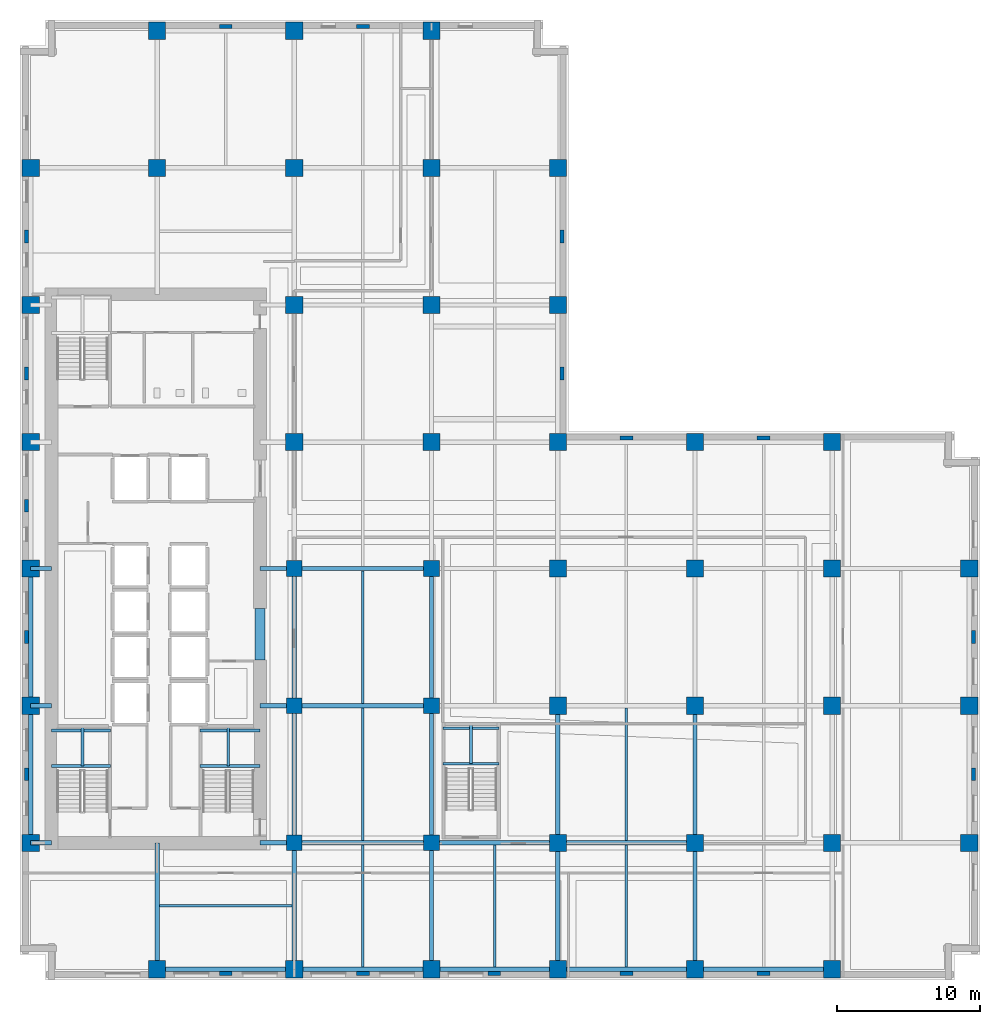
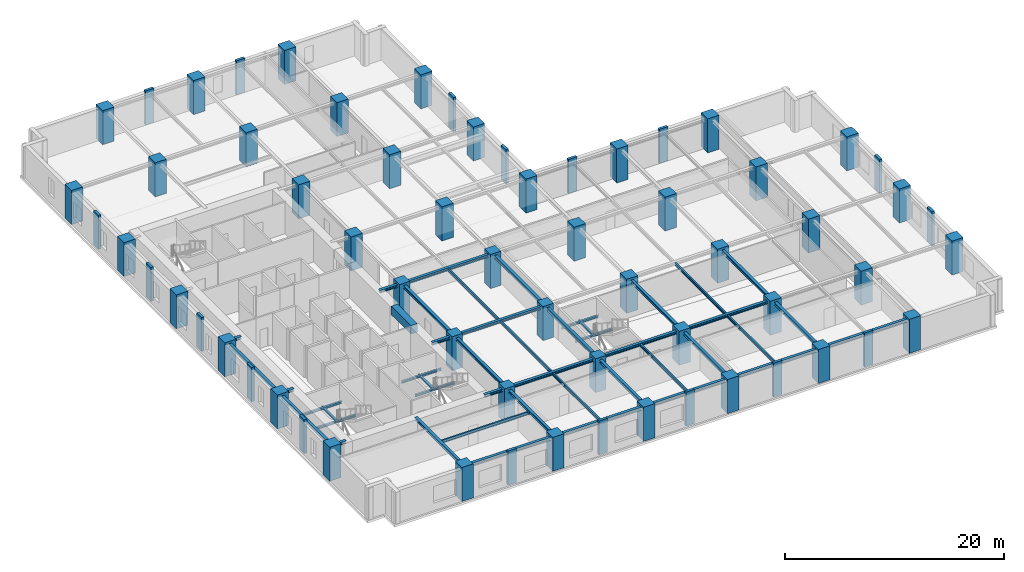
# One storey, part 1 of 13: 63 columns, 46 beams.
"""IFC4 building model written with IfcOpenShell, lengths in metres."""

from ifc_helpers import new_model, si_unit, direction, frame, origin, origin_2d, place, context, subcontext, project, spatial, rectangle, i_section, extrude, material, material_profile, profile_set, type_object, element, save


model = new_model("IFC4")

# Units and contexts
model_context = context("Model", 3, precision=1e-05, world=origin(), true_north=direction((0.0, 1.0)))
body_context = subcontext(model_context, "Body", "Model", "MODEL_VIEW")
ifc_project = project(units=[si_unit("LENGTHUNIT", "METRE"), si_unit("AREAUNIT", "SQUARE_METRE"), si_unit("VOLUMEUNIT", "CUBIC_METRE"), si_unit("PLANEANGLEUNIT", "RADIAN"), si_unit("MASSUNIT", "GRAM", prefix="KILO")], contexts=[model_context])

# Site, building, storey
site_placement = place(None, origin())
site = spatial("IfcSite", under=ifc_project, at=site_placement, CompositionType="ELEMENT")
building_placement = place(site_placement, origin())
building = spatial("IfcBuilding", under=site, at=building_placement, Name="Norrvale University Quadrangle", CompositionType="ELEMENT")
storey_placement = place(building_placement, frame((0.0, 0.0, 54.60009765625)))
storey = spatial("IfcBuildingStorey", under=building, at=storey_placement, Name="L13", CompositionType="ELEMENT", Elevation=54.60009765625)

# Columns
ifc_material_1 = material(Name="Buff Brick Concrete C60/75", Category="concrete")
ifc_material_profile_1 = material_profile(ifc_material_1, rectangle(XDim=0.89990234375, YDim=0.280029296875, at=origin_2d()), Name="Buff Brick Concrete C60/75")
ifc_profile_set_1 = profile_set([ifc_material_profile_1], Name="Buff Brick Concrete C60/75")
column_type_1 = type_object("IfcColumnType", Name="Column Buff Pier 900x280", PredefinedType="PILASTER", material=ifc_profile_set_1)
for number, where, z_axis, x_axis, name in (
    (1, (0.449951171875, 14.39990234375, 0.0), (0.0, 0.0, 1.0), (0.0, 1.0, 0.0), "Exterior Brick Facade Pilaster L13-01"),
    (2, (0.449951171875, 24.0, 0.0), (0.0, 0.0, 1.0), (0.0, 1.0, 0.0), "Exterior Brick Facade Pilaster L13-02"),
    (3, (0.449951171875, 33.199951171875, 0.0), (0.0, 0.0, 1.0), (0.0, 1.0, 0.0), "Exterior Brick Facade Pilaster L13-03"),
    (4, (0.449951171875, 42.449951171875, 0.0), (0.0, 0.0, 1.0), (0.0, 1.0, 0.0), "Exterior Brick Facade Pilaster L13-04"),
    (5, (0.449951171875, 52.050048828125, 0.0), (0.0, 0.0, 1.0), (0.0, 1.0, 0.0), "Exterior Brick Facade Pilaster L13-05"),
    (6, (14.39990234375, 0.449951171875, 0.0), (0.0, 0.0, 1.0), (1.0, 0.0, 0.0), "Exterior Brick Facade Pilaster L13-06"),
    (7, (24.0, 0.449951171875, 0.0), (0.0, 0.0, 1.0), (1.0, 0.0, 0.0), "Exterior Brick Facade Pilaster L13-07"),
    (8, (33.199951171875, 0.449951171875, 0.0), (0.0, 0.0, 1.0), (1.0, 0.0, 0.0), "Exterior Brick Facade Pilaster L13-08"),
    (9, (42.449951171875, 0.449951171875, 0.0), (0.0, 0.0, 1.0), (1.0, 0.0, 0.0), "Exterior Brick Facade Pilaster L13-09"),
    (10, (52.050048828125, 0.449951171875, 0.0), (0.0, 0.0, 1.0), (1.0, 0.0, 0.0), "Exterior Brick Facade Pilaster L13-10"),
    (11, (66.75, 14.39990234375, 0.0), (0.0, 0.0, 1.0), (0.0, 1.0, 0.0), "Exterior Brick Facade Pilaster L13-11"),
    (12, (66.75, 24.0, 0.0), (0.0, 0.0, 1.0), (0.0, 1.0, 0.0), "Exterior Brick Facade Pilaster L13-12"),
    (13, (14.39990234375, 66.75, 0.0), (0.0, 0.0, 1.0), (1.0, 0.0, 0.0), "Exterior Brick Facade Pilaster L13-13"),
    (14, (24.0, 66.75, 0.0), (0.0, 0.0, 1.0), (1.0, 0.0, 0.0), "Exterior Brick Facade Pilaster L13-14"),
    (15, (37.949951171875, 42.449951171875, 0.0), (0.0, 0.0, 1.0), (0.0, 1.0, 0.0), "Exterior Brick Facade Pilaster L13-15"),
    (16, (37.949951171875, 52.050048828125, 0.0), (0.0, 0.0, 1.0), (0.0, 1.0, 0.0), "Exterior Brick Facade Pilaster L13-16"),
    (17, (42.449951171875, 37.949951171875, 0.0), (0.0, 0.0, 1.0), (1.0, 0.0, 0.0), "Exterior Brick Facade Pilaster L13-17"),
    (18, (52.050048828125, 37.949951171875, 0.0), (0.0, 0.0, 1.0), (1.0, 0.0, 0.0), "Exterior Brick Facade Pilaster L13-18"),
):
    element("IfcColumn", number, at=place(storey_placement, frame(where, z_axis=z_axis, x_axis=x_axis)), inside=storey, type_object=column_type_1, Name=name, PredefinedType="PILASTER", context=body_context, shape_type="SweptSolid", body=[
        extrude(rectangle(XDim=0.89990234375, YDim=0.280029296875, at=origin_2d()), origin(), (0.0, 0.0, 1.0), 3.7998046875),
    ])
ifc_material_2 = material(Name="Concrete C80/95", Category="concrete")
ifc_material_profile_2 = material_profile(ifc_material_2, rectangle(XDim=1.10009765625, YDim=1.10009765625, at=origin_2d()), Name="Concrete C80/95")
ifc_profile_set_2 = profile_set([ifc_material_profile_2], Name="Concrete C80/95")
column_type_2 = type_object("IfcColumnType", Name="Column Tower Z1 1100x1100", PredefinedType="COLUMN", material=ifc_profile_set_2)
for number, where, z_axis, x_axis, name in (
    (19, (19.199951171875, 9.60009765625, 0.0), (0.0, 0.0, 1.0), (1.0, 0.0, 0.0), "Tower Column L13-T11"),
    (20, (19.199951171875, 19.199951171875, 0.0), (0.0, 0.0, 1.0), (1.0, 0.0, 0.0), "Tower Column L13-T12"),
    (21, (19.199951171875, 28.800048828125, 0.0), (0.0, 0.0, 1.0), (1.0, 0.0, 0.0), "Tower Column L13-T13"),
    (22, (28.800048828125, 9.60009765625, 0.0), (0.0, 0.0, 1.0), (1.0, 0.0, 0.0), "Tower Column L13-T19"),
    (23, (28.800048828125, 19.199951171875, 0.0), (0.0, 0.0, 1.0), (1.0, 0.0, 0.0), "Tower Column L13-T20"),
    (24, (28.800048828125, 28.800048828125, 0.0), (0.0, 0.0, 1.0), (1.0, 0.0, 0.0), "Tower Column L13-T21"),
):
    element("IfcColumn", number, at=place(storey_placement, frame(where, z_axis=z_axis, x_axis=x_axis)), inside=storey, type_object=column_type_2, Name=name, PredefinedType="COLUMN", context=body_context, shape_type="SweptSolid", body=[
        extrude(rectangle(XDim=1.10009765625, YDim=1.10009765625, at=origin_2d()), origin(), (0.0, 0.0, 1.0), 3.7998046875),
    ])
ifc_material_profile_3 = material_profile(ifc_material_2, rectangle(XDim=1.199951171875, YDim=1.199951171875, at=origin_2d()), Name="Concrete C80/95")
ifc_profile_set_3 = profile_set([ifc_material_profile_3], Name="Concrete C80/95")
column_type_3 = type_object("IfcColumnType", Name="Column Tower Z1 1200x1200", PredefinedType="COLUMN", material=ifc_profile_set_3)
for number, where, z_axis, x_axis, name in (
    (25, (0.75, 9.60009765625, 0.0), (0.0, 0.0, 1.0), (1.0, 0.0, 0.0), "Tower Column L13-T01"),
    (26, (0.75, 19.199951171875, 0.0), (0.0, 0.0, 1.0), (1.0, 0.0, 0.0), "Tower Column L13-T02"),
    (27, (0.75, 28.800048828125, 0.0), (0.0, 0.0, 1.0), (1.0, 0.0, 0.0), "Tower Column L13-T03"),
    (28, (0.75, 37.64990234375, 0.0), (0.0, 0.0, 1.0), (1.0, 0.0, 0.0), "Tower Column L13-T04"),
    (29, (0.75, 47.25, 0.0), (0.0, 0.0, 1.0), (1.0, 0.0, 0.0), "Tower Column L13-T05"),
    (30, (0.75, 56.85009765625, 0.0), (0.0, 0.0, 1.0), (1.0, 0.0, 0.0), "Tower Column L13-T06"),
    (31, (9.60009765625, 0.75, 0.0), (0.0, 0.0, 1.0), (1.0, 0.0, 0.0), "Tower Column L13-T07"),
    (32, (9.60009765625, 56.85009765625, 0.0), (0.0, 0.0, 1.0), (1.0, 0.0, 0.0), "Tower Column L13-T08"),
    (33, (9.60009765625, 66.449951171875, 0.0), (0.0, 0.0, 1.0), (1.0, 0.0, 0.0), "Tower Column L13-T09"),
    (34, (19.199951171875, 0.75, 0.0), (0.0, 0.0, 1.0), (1.0, 0.0, 0.0), "Tower Column L13-T10"),
    (35, (19.199951171875, 37.64990234375, 0.0), (0.0, 0.0, 1.0), (1.0, 0.0, 0.0), "Tower Column L13-T14"),
    (36, (19.199951171875, 47.25, 0.0), (0.0, 0.0, 1.0), (1.0, 0.0, 0.0), "Tower Column L13-T15"),
    (37, (19.199951171875, 56.85009765625, 0.0), (0.0, 0.0, 1.0), (1.0, 0.0, 0.0), "Tower Column L13-T16"),
    (38, (19.199951171875, 66.449951171875, 0.0), (0.0, 0.0, 1.0), (1.0, 0.0, 0.0), "Tower Column L13-T17"),
    (39, (28.800048828125, 0.75, 0.0), (0.0, 0.0, 1.0), (1.0, 0.0, 0.0), "Tower Column L13-T18"),
    (40, (28.800048828125, 37.64990234375, 0.0), (0.0, 0.0, 1.0), (1.0, 0.0, 0.0), "Tower Column L13-T22"),
    (41, (28.800048828125, 47.25, 0.0), (0.0, 0.0, 1.0), (1.0, 0.0, 0.0), "Tower Column L13-T23"),
    (42, (28.800048828125, 56.85009765625, 0.0), (0.0, 0.0, 1.0), (1.0, 0.0, 0.0), "Tower Column L13-T24"),
    (43, (28.800048828125, 66.449951171875, 0.0), (0.0, 0.0, 1.0), (1.0, 0.0, 0.0), "Tower Column L13-T25"),
    (44, (37.64990234375, 0.75, 0.0), (0.0, 0.0, 1.0), (1.0, 0.0, 0.0), "Tower Column L13-T26"),
    (45, (37.64990234375, 9.60009765625, 0.0), (0.0, 0.0, 1.0), (1.0, 0.0, 0.0), "Tower Column L13-T27"),
    (46, (37.64990234375, 19.199951171875, 0.0), (0.0, 0.0, 1.0), (1.0, 0.0, 0.0), "Tower Column L13-T28"),
    (47, (37.64990234375, 28.800048828125, 0.0), (0.0, 0.0, 1.0), (1.0, 0.0, 0.0), "Tower Column L13-T29"),
    (48, (37.64990234375, 37.64990234375, 0.0), (0.0, 0.0, 1.0), (1.0, 0.0, 0.0), "Tower Column L13-T30"),
    (49, (37.64990234375, 47.25, 0.0), (0.0, 0.0, 1.0), (1.0, 0.0, 0.0), "Tower Column L13-T31"),
    (50, (37.64990234375, 56.85009765625, 0.0), (0.0, 0.0, 1.0), (1.0, 0.0, 0.0), "Tower Column L13-T32"),
    (51, (47.25, 0.75, 0.0), (0.0, 0.0, 1.0), (1.0, 0.0, 0.0), "Tower Column L13-T33"),
    (52, (47.25, 9.60009765625, 0.0), (0.0, 0.0, 1.0), (1.0, 0.0, 0.0), "Tower Column L13-T34"),
    (53, (47.25, 19.199951171875, 0.0), (0.0, 0.0, 1.0), (1.0, 0.0, 0.0), "Tower Column L13-T35"),
    (54, (47.25, 28.800048828125, 0.0), (0.0, 0.0, 1.0), (1.0, 0.0, 0.0), "Tower Column L13-T36"),
    (55, (47.25, 37.64990234375, 0.0), (0.0, 0.0, 1.0), (1.0, 0.0, 0.0), "Tower Column L13-T37"),
    (56, (56.85009765625, 0.75, 0.0), (0.0, 0.0, 1.0), (1.0, 0.0, 0.0), "Tower Column L13-T38"),
    (57, (56.85009765625, 9.60009765625, 0.0), (0.0, 0.0, 1.0), (1.0, 0.0, 0.0), "Tower Column L13-T39"),
    (58, (56.85009765625, 19.199951171875, 0.0), (0.0, 0.0, 1.0), (1.0, 0.0, 0.0), "Tower Column L13-T40"),
    (59, (56.85009765625, 28.800048828125, 0.0), (0.0, 0.0, 1.0), (1.0, 0.0, 0.0), "Tower Column L13-T41"),
    (60, (56.85009765625, 37.64990234375, 0.0), (0.0, 0.0, 1.0), (1.0, 0.0, 0.0), "Tower Column L13-T42"),
    (61, (66.449951171875, 9.60009765625, 0.0), (0.0, 0.0, 1.0), (1.0, 0.0, 0.0), "Tower Column L13-T43"),
    (62, (66.449951171875, 19.199951171875, 0.0), (0.0, 0.0, 1.0), (1.0, 0.0, 0.0), "Tower Column L13-T44"),
    (63, (66.449951171875, 28.800048828125, 0.0), (0.0, 0.0, 1.0), (1.0, 0.0, 0.0), "Tower Column L13-T45"),
):
    element("IfcColumn", number, at=place(storey_placement, frame(where, z_axis=z_axis, x_axis=x_axis)), inside=storey, type_object=column_type_3, Name=name, PredefinedType="COLUMN", context=body_context, shape_type="SweptSolid", body=[
        extrude(rectangle(XDim=1.199951171875, YDim=1.199951171875, at=origin_2d()), origin(), (0.0, 0.0, 1.0), 3.7998046875),
    ])

# Beams
ifc_material_3 = material(Name="Steel 350W", Category="steel")
ifc_material_profile_4 = material_profile(ifc_material_3, i_section(OverallWidth=0.1669921875, OverallDepth=0.31689453125, WebThickness=0.007568359375, FlangeThickness=0.01318359375, FilletRadius=0.010009765625, at=origin_2d()), Name="Steel 350W")
ifc_profile_set_4 = profile_set([ifc_material_profile_4], Name="Steel 350W")
beam_type_1 = type_object("IfcBeamType", Name="Beam Canopy Purlin W310x52", PredefinedType="USERDEFINED", material=ifc_profile_set_4)
beam_1_placement = place(storey_placement, frame((24.0, 0.902587890625, 3.38134765625), z_axis=(0.0, 1.0, 0.0), x_axis=(-1.0, 0.0, 0.0)))
element("IfcBeam", 64, at=beam_1_placement, inside=storey, type_object=beam_type_1, Name="Beam Canopy Purlin W310x52 BM-L13-J080", ObjectType="PURLIN", PredefinedType="USERDEFINED", context=body_context, shape_type="SweptSolid", body=[
    extrude(i_section(OverallWidth=0.1669921875, OverallDepth=0.31689453125, WebThickness=0.007568359375, FlangeThickness=0.01318359375, FilletRadius=0.010009765625, at=origin_2d()), origin(), (0.0, 0.0, 1.0), 8.544921875),
])
beam_2_placement = place(storey_placement, frame((24.0, 9.75244140625, 3.38134765625), z_axis=(0.0, 1.0, 0.0), x_axis=(-1.0, 0.0, 0.0)))
element("IfcBeam", 65, at=beam_2_placement, inside=storey, type_object=beam_type_1, Name="Beam Canopy Purlin W310x52 BM-L13-J081", ObjectType="PURLIN", PredefinedType="USERDEFINED", context=body_context, shape_type="SweptSolid", body=[
    extrude(i_section(OverallWidth=0.1669921875, OverallDepth=0.31689453125, WebThickness=0.007568359375, FlangeThickness=0.01318359375, FilletRadius=0.010009765625, at=origin_2d()), origin(), (0.0, 0.0, 1.0), 9.295166015625),
])
beam_3_placement = place(storey_placement, frame((24.0, 19.3525390625, 3.38134765625), z_axis=(0.0, 1.0, 0.0), x_axis=(-1.0, 0.0, 0.0)))
element("IfcBeam", 66, at=beam_3_placement, inside=storey, type_object=beam_type_1, Name="Beam Canopy Purlin W310x52 BM-L13-J082", ObjectType="PURLIN", PredefinedType="USERDEFINED", context=body_context, shape_type="SweptSolid", body=[
    extrude(i_section(OverallWidth=0.1669921875, OverallDepth=0.31689453125, WebThickness=0.007568359375, FlangeThickness=0.01318359375, FilletRadius=0.010009765625, at=origin_2d()), origin(), (0.0, 0.0, 1.0), 9.294921875),
])
for number, where, z_axis, x_axis, name in (
    (67, (33.22509765625, 0.902587890625, 3.38134765625), (0.0, 1.0, 0.0), (-1.0, 0.0, 0.0), "Beam Canopy Purlin W310x52 BM-L13-J087"),
    (68, (42.449951171875, 0.902587890625, 3.38134765625), (0.0, 1.0, 0.0), (-1.0, 0.0, 0.0), "Beam Canopy Purlin W310x52 BM-L13-J092"),
):
    element("IfcBeam", number, at=place(storey_placement, frame(where, z_axis=z_axis, x_axis=x_axis)), inside=storey, type_object=beam_type_1, Name=name, ObjectType="PURLIN", PredefinedType="USERDEFINED", context=body_context, shape_type="SweptSolid", body=[
        extrude(i_section(OverallWidth=0.1669921875, OverallDepth=0.31689453125, WebThickness=0.007568359375, FlangeThickness=0.01318359375, FilletRadius=0.010009765625, at=origin_2d()), origin(), (0.0, 0.0, 1.0), 8.544921875),
    ])
for number, where, z_axis, x_axis, name in (
    (69, (42.449951171875, 9.75244140625, 3.38134765625), (0.0, 1.0, 0.0), (-1.0, 0.0, 0.0), "Beam Canopy Purlin W310x52 BM-L13-J093"),
    (70, (9.75244140625, 5.199951171875, 3.38134765625), (1.0, 0.0, 0.0), (0.0, 1.0, 0.0), "Beam Canopy Purlin W310x52 BM-L13-JCS103"),
):
    element("IfcBeam", number, at=place(storey_placement, frame(where, z_axis=z_axis, x_axis=x_axis)), inside=storey, type_object=beam_type_1, Name=name, ObjectType="PURLIN", PredefinedType="USERDEFINED", context=body_context, shape_type="SweptSolid", body=[
        extrude(i_section(OverallWidth=0.1669921875, OverallDepth=0.31689453125, WebThickness=0.007568359375, FlangeThickness=0.01318359375, FilletRadius=0.010009765625, at=origin_2d()), origin(), (0.0, 0.0, 1.0), 9.295166015625),
    ])
ifc_material_profile_5 = material_profile(ifc_material_3, i_section(OverallWidth=0.304931640625, OverallDepth=0.30810546875, WebThickness=0.010009765625, FlangeThickness=0.015380859375, FilletRadius=0.014892578125, at=origin_2d()), Name="Steel 350W")
ifc_profile_set_5 = profile_set([ifc_material_profile_5], Name="Steel 350W")
beam_type_2 = type_object("IfcBeamType", Name="Beam Canopy W310x97", PredefinedType="BEAM", material=ifc_profile_set_5)
beam_4_placement = place(storey_placement, frame((9.60009765625, 0.75, 3.385986328125), z_axis=(1.0, 0.0, 0.0), x_axis=(0.0, 1.0, 0.0)))
element("IfcBeam", 71, at=beam_4_placement, inside=storey, type_object=beam_type_2, Name="Beam Canopy W310x97 BM-L13-GX001", PredefinedType="BEAM", context=body_context, shape_type="SweptSolid", body=[
    extrude(i_section(OverallWidth=0.304931640625, OverallDepth=0.30810546875, WebThickness=0.010009765625, FlangeThickness=0.015380859375, FilletRadius=0.014892578125, at=origin_2d()), origin(), (0.0, 0.0, 1.0), 9.599853515625),
])
beam_5_placement = place(storey_placement, frame((19.199951171875, 0.75, 3.385986328125), z_axis=(1.0, 0.0, 0.0), x_axis=(0.0, 1.0, 0.0)))
element("IfcBeam", 72, at=beam_5_placement, inside=storey, type_object=beam_type_2, Name="Beam Canopy W310x97 BM-L13-GX002", PredefinedType="BEAM", context=body_context, shape_type="SweptSolid", body=[
    extrude(i_section(OverallWidth=0.304931640625, OverallDepth=0.30810546875, WebThickness=0.010009765625, FlangeThickness=0.015380859375, FilletRadius=0.014892578125, at=origin_2d()), origin(), (0.0, 0.0, 1.0), 9.60009765625),
])
beam_6_placement = place(storey_placement, frame((28.800048828125, 0.75, 3.385986328125), z_axis=(1.0, 0.0, 0.0), x_axis=(0.0, 1.0, 0.0)))
element("IfcBeam", 73, at=beam_6_placement, inside=storey, type_object=beam_type_2, Name="Beam Canopy W310x97 BM-L13-GX003", PredefinedType="BEAM", context=body_context, shape_type="SweptSolid", body=[
    extrude(i_section(OverallWidth=0.304931640625, OverallDepth=0.30810546875, WebThickness=0.010009765625, FlangeThickness=0.015380859375, FilletRadius=0.014892578125, at=origin_2d()), origin(), (0.0, 0.0, 1.0), 8.849853515625),
])
for number, where, z_axis, x_axis, name in (
    (74, (37.64990234375, 0.75, 3.385986328125), (1.0, 0.0, 0.0), (0.0, 1.0, 0.0), "Beam Canopy W310x97 BM-L13-GX004"),
    (75, (47.25, 0.75, 3.385986328125), (1.0, 0.0, 0.0), (0.0, 1.0, 0.0), "Beam Canopy W310x97 BM-L13-GX005"),
    (76, (19.199951171875, 9.60009765625, 3.385986328125), (1.0, 0.0, 0.0), (0.0, 1.0, 0.0), "Beam Canopy W310x97 BM-L13-GX006"),
):
    element("IfcBeam", number, at=place(storey_placement, frame(where, z_axis=z_axis, x_axis=x_axis)), inside=storey, type_object=beam_type_2, Name=name, PredefinedType="BEAM", context=body_context, shape_type="SweptSolid", body=[
        extrude(i_section(OverallWidth=0.304931640625, OverallDepth=0.30810546875, WebThickness=0.010009765625, FlangeThickness=0.015380859375, FilletRadius=0.014892578125, at=origin_2d()), origin(), (0.0, 0.0, 1.0), 9.60009765625),
    ])
beam_7_placement = place(storey_placement, frame((28.800048828125, 9.60009765625, 3.385986328125), z_axis=(1.0, 0.0, 0.0), x_axis=(0.0, 1.0, 0.0)))
element("IfcBeam", 77, at=beam_7_placement, inside=storey, type_object=beam_type_2, Name="Beam Canopy W310x97 BM-L13-GX007", PredefinedType="BEAM", context=body_context, shape_type="SweptSolid", body=[
    extrude(i_section(OverallWidth=0.304931640625, OverallDepth=0.30810546875, WebThickness=0.010009765625, FlangeThickness=0.015380859375, FilletRadius=0.014892578125, at=origin_2d()), origin(), (0.0, 0.0, 1.0), 8.849853515625),
])
for number, where, z_axis, x_axis, name in (
    (78, (37.64990234375, 9.60009765625, 3.385986328125), (1.0, 0.0, 0.0), (0.0, 1.0, 0.0), "Beam Canopy W310x97 BM-L13-GX008"),
    (79, (19.199951171875, 19.199951171875, 3.385986328125), (1.0, 0.0, 0.0), (0.0, 1.0, 0.0), "Beam Canopy W310x97 BM-L13-GX011"),
    (80, (19.199951171875, 28.800048828125, 3.385986328125), (1.0, 0.0, 0.0), (0.0, 1.0, 0.0), "Beam Canopy W310x97 BM-L13-GX016"),
):
    element("IfcBeam", number, at=place(storey_placement, frame(where, z_axis=z_axis, x_axis=x_axis)), inside=storey, type_object=beam_type_2, Name=name, PredefinedType="BEAM", context=body_context, shape_type="SweptSolid", body=[
        extrude(i_section(OverallWidth=0.304931640625, OverallDepth=0.30810546875, WebThickness=0.010009765625, FlangeThickness=0.015380859375, FilletRadius=0.014892578125, at=origin_2d()), origin(), (0.0, 0.0, 1.0), 9.60009765625),
    ])
beam_8_placement = place(storey_placement, frame((0.75, 9.60009765625, 3.385986328125), z_axis=(0.0, 1.0, 0.0), x_axis=(-1.0, 0.0, 0.0)))
element("IfcBeam", 81, at=beam_8_placement, inside=storey, type_object=beam_type_2, Name="Beam Canopy W310x97 BM-L13-GY033", PredefinedType="BEAM", context=body_context, shape_type="SweptSolid", body=[
    extrude(i_section(OverallWidth=0.304931640625, OverallDepth=0.30810546875, WebThickness=0.010009765625, FlangeThickness=0.015380859375, FilletRadius=0.014892578125, at=origin_2d()), origin(), (0.0, 0.0, 1.0), 9.599853515625),
])
beam_9_placement = place(storey_placement, frame((0.75, 19.199951171875, 3.385986328125), z_axis=(0.0, 1.0, 0.0), x_axis=(-1.0, 0.0, 0.0)))
element("IfcBeam", 82, at=beam_9_placement, inside=storey, type_object=beam_type_2, Name="Beam Canopy W310x97 BM-L13-GY034", PredefinedType="BEAM", context=body_context, shape_type="SweptSolid", body=[
    extrude(i_section(OverallWidth=0.304931640625, OverallDepth=0.30810546875, WebThickness=0.010009765625, FlangeThickness=0.015380859375, FilletRadius=0.014892578125, at=origin_2d()), origin(), (0.0, 0.0, 1.0), 9.60009765625),
])
beam_10_placement = place(storey_placement, frame((19.199951171875, 0.75, 3.385986328125), z_axis=(0.0, 1.0, 0.0), x_axis=(-1.0, 0.0, 0.0)))
element("IfcBeam", 83, at=beam_10_placement, inside=storey, type_object=beam_type_2, Name="Beam Canopy W310x97 BM-L13-GY039", PredefinedType="BEAM", context=body_context, shape_type="SweptSolid", body=[
    extrude(i_section(OverallWidth=0.304931640625, OverallDepth=0.30810546875, WebThickness=0.010009765625, FlangeThickness=0.015380859375, FilletRadius=0.014892578125, at=origin_2d()), origin(), (0.0, 0.0, 1.0), 8.85009765625),
])
beam_11_placement = place(storey_placement, frame((19.199951171875, 9.60009765625, 3.385986328125), z_axis=(0.0, 1.0, 0.0), x_axis=(-1.0, 0.0, 0.0)))
element("IfcBeam", 84, at=beam_11_placement, inside=storey, type_object=beam_type_2, Name="Beam Canopy W310x97 BM-L13-GY040", PredefinedType="BEAM", context=body_context, shape_type="SweptSolid", body=[
    extrude(i_section(OverallWidth=0.304931640625, OverallDepth=0.30810546875, WebThickness=0.010009765625, FlangeThickness=0.015380859375, FilletRadius=0.014892578125, at=origin_2d()), origin(), (0.0, 0.0, 1.0), 9.599853515625),
])
beam_12_placement = place(storey_placement, frame((19.199951171875, 19.199951171875, 3.385986328125), z_axis=(0.0, 1.0, 0.0), x_axis=(-1.0, 0.0, 0.0)))
element("IfcBeam", 85, at=beam_12_placement, inside=storey, type_object=beam_type_2, Name="Beam Canopy W310x97 BM-L13-GY041", PredefinedType="BEAM", context=body_context, shape_type="SweptSolid", body=[
    extrude(i_section(OverallWidth=0.304931640625, OverallDepth=0.30810546875, WebThickness=0.010009765625, FlangeThickness=0.015380859375, FilletRadius=0.014892578125, at=origin_2d()), origin(), (0.0, 0.0, 1.0), 9.60009765625),
])
beam_13_placement = place(storey_placement, frame((28.800048828125, 0.75, 3.385986328125), z_axis=(0.0, 1.0, 0.0), x_axis=(-1.0, 0.0, 0.0)))
element("IfcBeam", 86, at=beam_13_placement, inside=storey, type_object=beam_type_2, Name="Beam Canopy W310x97 BM-L13-GY046", PredefinedType="BEAM", context=body_context, shape_type="SweptSolid", body=[
    extrude(i_section(OverallWidth=0.304931640625, OverallDepth=0.30810546875, WebThickness=0.010009765625, FlangeThickness=0.015380859375, FilletRadius=0.014892578125, at=origin_2d()), origin(), (0.0, 0.0, 1.0), 8.85009765625),
])
beam_14_placement = place(storey_placement, frame((28.800048828125, 9.60009765625, 3.385986328125), z_axis=(0.0, 1.0, 0.0), x_axis=(-1.0, 0.0, 0.0)))
element("IfcBeam", 87, at=beam_14_placement, inside=storey, type_object=beam_type_2, Name="Beam Canopy W310x97 BM-L13-GY047", PredefinedType="BEAM", context=body_context, shape_type="SweptSolid", body=[
    extrude(i_section(OverallWidth=0.304931640625, OverallDepth=0.30810546875, WebThickness=0.010009765625, FlangeThickness=0.015380859375, FilletRadius=0.014892578125, at=origin_2d()), origin(), (0.0, 0.0, 1.0), 9.599853515625),
])
beam_15_placement = place(storey_placement, frame((28.800048828125, 19.199951171875, 3.385986328125), z_axis=(0.0, 1.0, 0.0), x_axis=(-1.0, 0.0, 0.0)))
element("IfcBeam", 88, at=beam_15_placement, inside=storey, type_object=beam_type_2, Name="Beam Canopy W310x97 BM-L13-GY048", PredefinedType="BEAM", context=body_context, shape_type="SweptSolid", body=[
    extrude(i_section(OverallWidth=0.304931640625, OverallDepth=0.30810546875, WebThickness=0.010009765625, FlangeThickness=0.015380859375, FilletRadius=0.014892578125, at=origin_2d()), origin(), (0.0, 0.0, 1.0), 9.60009765625),
])
beam_16_placement = place(storey_placement, frame((37.64990234375, 0.75, 3.385986328125), z_axis=(0.0, 1.0, 0.0), x_axis=(-1.0, 0.0, 0.0)))
element("IfcBeam", 89, at=beam_16_placement, inside=storey, type_object=beam_type_2, Name="Beam Canopy W310x97 BM-L13-GY053", PredefinedType="BEAM", context=body_context, shape_type="SweptSolid", body=[
    extrude(i_section(OverallWidth=0.304931640625, OverallDepth=0.30810546875, WebThickness=0.010009765625, FlangeThickness=0.015380859375, FilletRadius=0.014892578125, at=origin_2d()), origin(), (0.0, 0.0, 1.0), 8.85009765625),
])
beam_17_placement = place(storey_placement, frame((37.64990234375, 9.60009765625, 3.385986328125), z_axis=(0.0, 1.0, 0.0), x_axis=(-1.0, 0.0, 0.0)))
element("IfcBeam", 90, at=beam_17_placement, inside=storey, type_object=beam_type_2, Name="Beam Canopy W310x97 BM-L13-GY054", PredefinedType="BEAM", context=body_context, shape_type="SweptSolid", body=[
    extrude(i_section(OverallWidth=0.304931640625, OverallDepth=0.30810546875, WebThickness=0.010009765625, FlangeThickness=0.015380859375, FilletRadius=0.014892578125, at=origin_2d()), origin(), (0.0, 0.0, 1.0), 9.599853515625),
])
beam_18_placement = place(storey_placement, frame((47.25, 0.75, 3.385986328125), z_axis=(0.0, 1.0, 0.0), x_axis=(-1.0, 0.0, 0.0)))
element("IfcBeam", 91, at=beam_18_placement, inside=storey, type_object=beam_type_2, Name="Beam Canopy W310x97 BM-L13-GY059", PredefinedType="BEAM", context=body_context, shape_type="SweptSolid", body=[
    extrude(i_section(OverallWidth=0.304931640625, OverallDepth=0.30810546875, WebThickness=0.010009765625, FlangeThickness=0.015380859375, FilletRadius=0.014892578125, at=origin_2d()), origin(), (0.0, 0.0, 1.0), 8.85009765625),
])
beam_19_placement = place(storey_placement, frame((47.25, 9.60009765625, 3.385986328125), z_axis=(0.0, 1.0, 0.0), x_axis=(-1.0, 0.0, 0.0)))
element("IfcBeam", 92, at=beam_19_placement, inside=storey, type_object=beam_type_2, Name="Beam Canopy W310x97 BM-L13-GY060", PredefinedType="BEAM", context=body_context, shape_type="SweptSolid", body=[
    extrude(i_section(OverallWidth=0.304931640625, OverallDepth=0.30810546875, WebThickness=0.010009765625, FlangeThickness=0.015380859375, FilletRadius=0.014892578125, at=origin_2d()), origin(), (0.0, 0.0, 1.0), 9.599853515625),
])
beam_20_placement = place(storey_placement, frame((0.75, 9.60009765625, 3.385986328125), z_axis=(1.0, 0.0, 0.0), x_axis=(0.0, 1.0, 0.0)))
element("IfcBeam", 93, at=beam_20_placement, inside=storey, type_object=beam_type_2, Name="Beam Canopy W310x97 BM-L13-GCW069", PredefinedType="BEAM", context=body_context, shape_type="SweptSolid", body=[
    extrude(i_section(OverallWidth=0.304931640625, OverallDepth=0.30810546875, WebThickness=0.010009765625, FlangeThickness=0.015380859375, FilletRadius=0.014892578125, at=origin_2d()), origin(), (0.0, 0.0, 1.0), 1.449951171875),
])
beam_21_placement = place(storey_placement, frame((16.800048828125, 9.60009765625, 3.385986328125), z_axis=(1.0, 0.0, 0.0), x_axis=(0.0, 1.0, 0.0)))
element("IfcBeam", 94, at=beam_21_placement, inside=storey, type_object=beam_type_2, Name="Beam Canopy W310x97 BM-L13-GCE070", PredefinedType="BEAM", context=body_context, shape_type="SweptSolid", body=[
    extrude(i_section(OverallWidth=0.304931640625, OverallDepth=0.30810546875, WebThickness=0.010009765625, FlangeThickness=0.015380859375, FilletRadius=0.014892578125, at=origin_2d()), origin(), (0.0, 0.0, 1.0), 2.39990234375),
])
beam_22_placement = place(storey_placement, frame((0.75, 19.199951171875, 3.385986328125), z_axis=(1.0, 0.0, 0.0), x_axis=(0.0, 1.0, 0.0)))
element("IfcBeam", 95, at=beam_22_placement, inside=storey, type_object=beam_type_2, Name="Beam Canopy W310x97 BM-L13-GCW071", PredefinedType="BEAM", context=body_context, shape_type="SweptSolid", body=[
    extrude(i_section(OverallWidth=0.304931640625, OverallDepth=0.30810546875, WebThickness=0.010009765625, FlangeThickness=0.015380859375, FilletRadius=0.014892578125, at=origin_2d()), origin(), (0.0, 0.0, 1.0), 1.449951171875),
])
beam_23_placement = place(storey_placement, frame((16.800048828125, 19.199951171875, 3.385986328125), z_axis=(1.0, 0.0, 0.0), x_axis=(0.0, 1.0, 0.0)))
element("IfcBeam", 96, at=beam_23_placement, inside=storey, type_object=beam_type_2, Name="Beam Canopy W310x97 BM-L13-GCE072", PredefinedType="BEAM", context=body_context, shape_type="SweptSolid", body=[
    extrude(i_section(OverallWidth=0.304931640625, OverallDepth=0.30810546875, WebThickness=0.010009765625, FlangeThickness=0.015380859375, FilletRadius=0.014892578125, at=origin_2d()), origin(), (0.0, 0.0, 1.0), 2.39990234375),
])
beam_24_placement = place(storey_placement, frame((0.75, 28.800048828125, 3.385986328125), z_axis=(1.0, 0.0, 0.0), x_axis=(0.0, 1.0, 0.0)))
element("IfcBeam", 97, at=beam_24_placement, inside=storey, type_object=beam_type_2, Name="Beam Canopy W310x97 BM-L13-GCW073", PredefinedType="BEAM", context=body_context, shape_type="SweptSolid", body=[
    extrude(i_section(OverallWidth=0.304931640625, OverallDepth=0.30810546875, WebThickness=0.010009765625, FlangeThickness=0.015380859375, FilletRadius=0.014892578125, at=origin_2d()), origin(), (0.0, 0.0, 1.0), 1.449951171875),
])
beam_25_placement = place(storey_placement, frame((16.800048828125, 28.800048828125, 3.385986328125), z_axis=(1.0, 0.0, 0.0), x_axis=(0.0, 1.0, 0.0)))
element("IfcBeam", 98, at=beam_25_placement, inside=storey, type_object=beam_type_2, Name="Beam Canopy W310x97 BM-L13-GCE074", PredefinedType="BEAM", context=body_context, shape_type="SweptSolid", body=[
    extrude(i_section(OverallWidth=0.304931640625, OverallDepth=0.30810546875, WebThickness=0.010009765625, FlangeThickness=0.015380859375, FilletRadius=0.014892578125, at=origin_2d()), origin(), (0.0, 0.0, 1.0), 2.39990234375),
])
beam_26_placement = place(storey_placement, frame((9.60009765625, 0.75, 3.385986328125), z_axis=(0.0, 1.0, 0.0), x_axis=(-1.0, 0.0, 0.0)))
element("IfcBeam", 99, at=beam_26_placement, inside=storey, type_object=beam_type_2, Name="Beam Canopy W310x97 BM-L13-GCS102", PredefinedType="BEAM", context=body_context, shape_type="SweptSolid", body=[
    extrude(i_section(OverallWidth=0.304931640625, OverallDepth=0.30810546875, WebThickness=0.010009765625, FlangeThickness=0.015380859375, FilletRadius=0.014892578125, at=origin_2d()), origin(), (0.0, 0.0, 1.0), 8.85009765625),
])
ifc_material_profile_6 = material_profile(ifc_material_2, rectangle(XDim=0.699951171875, YDim=0.949951171875, at=origin_2d()), Name="Concrete C80/95")
ifc_profile_set_6 = profile_set([ifc_material_profile_6], Name="Concrete C80/95")
beam_type_3 = type_object("IfcBeamType", Name="Beam Core Link 700x950", PredefinedType="LINTEL", material=ifc_profile_set_6)
beam_27_placement = place(storey_placement, frame((16.800048828125, 22.39990234375, 3.06494140625), z_axis=(0.0, 1.0, 0.0), x_axis=(-1.0, 0.0, 0.0)))
element("IfcBeam", 100, at=beam_27_placement, inside=storey, type_object=beam_type_3, Name="Core Coupling Lintel Beam L13-1", PredefinedType="LINTEL", context=body_context, shape_type="SweptSolid", body=[
    extrude(rectangle(XDim=0.699951171875, YDim=0.949951171875, at=origin_2d()), origin(), (0.0, 0.0, 1.0), 3.60009765625),
])
ifc_material_profile_7 = material_profile(ifc_material_3, i_section(OverallWidth=0.201904296875, OverallDepth=0.2470703125, WebThickness=0.00732421875, FlangeThickness=0.010986328125, FilletRadius=0.011962890625, at=origin_2d()), Name="Steel 350W")
ifc_profile_set_7 = profile_set([ifc_material_profile_7], Name="Steel 350W")
beam_type_4 = type_object("IfcBeamType", Name="Beam Stair W250x49", PredefinedType="BEAM", material=ifc_profile_set_7)
for number, where, z_axis, x_axis, name in (
    (101, (2.199951171875, 14.989990234375, 1.576416015625), (1.0, 0.0, 0.0), (0.0, 1.0, 0.0), "Stair Mid-Landing Front Beam ST-01 L13"),
    (102, (2.199951171875, 17.469970703125, 1.576416015625), (1.0, 0.0, 0.0), (0.0, 1.0, 0.0), "Stair Mid-Landing Rear Beam ST-01 L13"),
):
    element("IfcBeam", number, at=place(storey_placement, frame(where, z_axis=z_axis, x_axis=x_axis)), inside=storey, type_object=beam_type_4, Name=name, PredefinedType="BEAM", context=body_context, shape_type="SweptSolid", body=[
        extrude(i_section(OverallWidth=0.201904296875, OverallDepth=0.2470703125, WebThickness=0.00732421875, FlangeThickness=0.010986328125, FilletRadius=0.011962890625, at=origin_2d()), origin(), (0.0, 0.0, 1.0), 4.14013671875),
    ])
for number, where, z_axis, x_axis, name in (
    (103, (12.610107421875, 14.989990234375, 1.576416015625), (1.0, 0.0, 0.0), (0.0, 1.0, 0.0), "Stair Mid-Landing Front Beam ST-03 L13"),
    (104, (12.610107421875, 17.469970703125, 1.576416015625), (1.0, 0.0, 0.0), (0.0, 1.0, 0.0), "Stair Mid-Landing Rear Beam ST-03 L13"),
):
    element("IfcBeam", number, at=place(storey_placement, frame(where, z_axis=z_axis, x_axis=x_axis)), inside=storey, type_object=beam_type_4, Name=name, PredefinedType="BEAM", context=body_context, shape_type="SweptSolid", body=[
        extrude(i_section(OverallWidth=0.201904296875, OverallDepth=0.2470703125, WebThickness=0.00732421875, FlangeThickness=0.010986328125, FilletRadius=0.011962890625, at=origin_2d()), origin(), (0.0, 0.0, 1.0), 4.18994140625),
    ])
for number, where, z_axis, x_axis, name in (
    (105, (29.610107421875, 15.139892578125, 1.576416015625), (1.0, 0.0, 0.0), (0.0, 1.0, 0.0), "Stair Mid-Landing Front Beam ST-04 L13"),
    (106, (29.610107421875, 17.6201171875, 1.576416015625), (1.0, 0.0, 0.0), (0.0, 1.0, 0.0), "Stair Mid-Landing Rear Beam ST-04 L13"),
):
    element("IfcBeam", number, at=place(storey_placement, frame(where, z_axis=z_axis, x_axis=x_axis)), inside=storey, type_object=beam_type_4, Name=name, PredefinedType="BEAM", context=body_context, shape_type="SweptSolid", body=[
        extrude(i_section(OverallWidth=0.201904296875, OverallDepth=0.2470703125, WebThickness=0.00732421875, FlangeThickness=0.010986328125, FilletRadius=0.011962890625, at=origin_2d()), origin(), (0.0, 0.0, 1.0), 3.929931640625),
    ])
ifc_material_profile_8 = material_profile(ifc_material_3, i_section(OverallWidth=0.202880859375, OverallDepth=0.202880859375, WebThickness=0.007080078125, FlangeThickness=0.010986328125, FilletRadius=0.010009765625, at=origin_2d()), Name="Steel 350W")
ifc_profile_set_8 = profile_set([ifc_material_profile_8], Name="Steel 350W")
beam_type_5 = type_object("IfcBeamType", Name="Beam Trim W200x46", PredefinedType="BEAM", material=ifc_profile_set_8)
for number, where, z_axis, x_axis, name in (
    (107, (4.375, 14.989990234375, 1.598388671875), (0.0, 1.0, 0.0), (-1.0, 0.0, 0.0), "Stair Mid-Landing Cross Beam ST-01 L13"),
    (108, (14.574951171875, 14.989990234375, 1.598388671875), (0.0, 1.0, 0.0), (-1.0, 0.0, 0.0), "Stair Mid-Landing Cross Beam ST-03 L13"),
    (109, (31.574951171875, 15.139892578125, 1.598388671875), (0.0, 1.0, 0.0), (-1.0, 0.0, 0.0), "Stair Mid-Landing Cross Beam ST-04 L13"),
):
    element("IfcBeam", number, at=place(storey_placement, frame(where, z_axis=z_axis, x_axis=x_axis)), inside=storey, type_object=beam_type_5, Name=name, PredefinedType="BEAM", context=body_context, shape_type="SweptSolid", body=[
        extrude(i_section(OverallWidth=0.202880859375, OverallDepth=0.202880859375, WebThickness=0.007080078125, FlangeThickness=0.010986328125, FilletRadius=0.010009765625, at=origin_2d()), origin(), (0.0, 0.0, 1.0), 2.800048828125),
    ])

save(model, "model.ifc")
